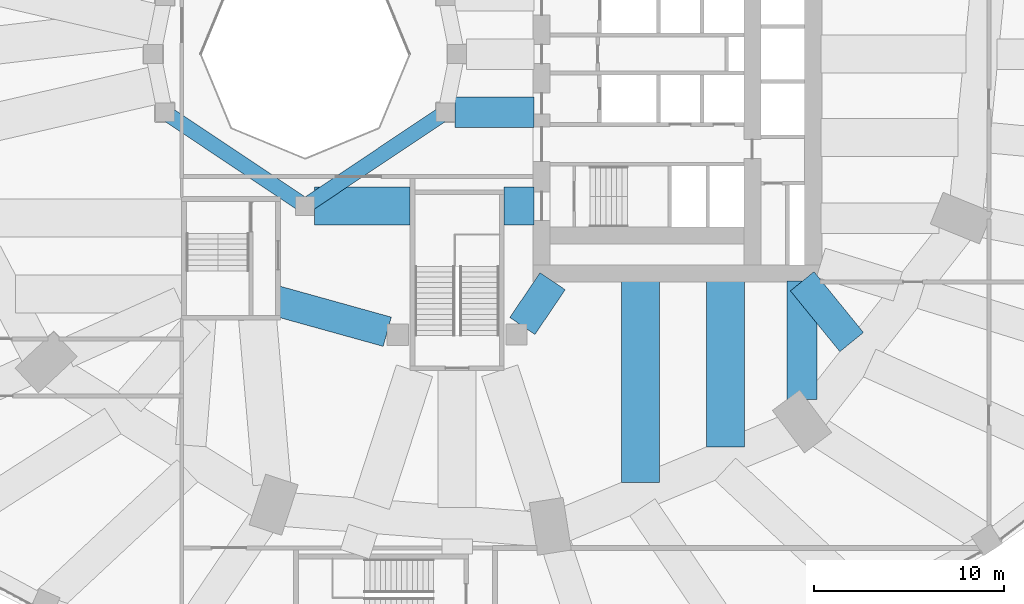
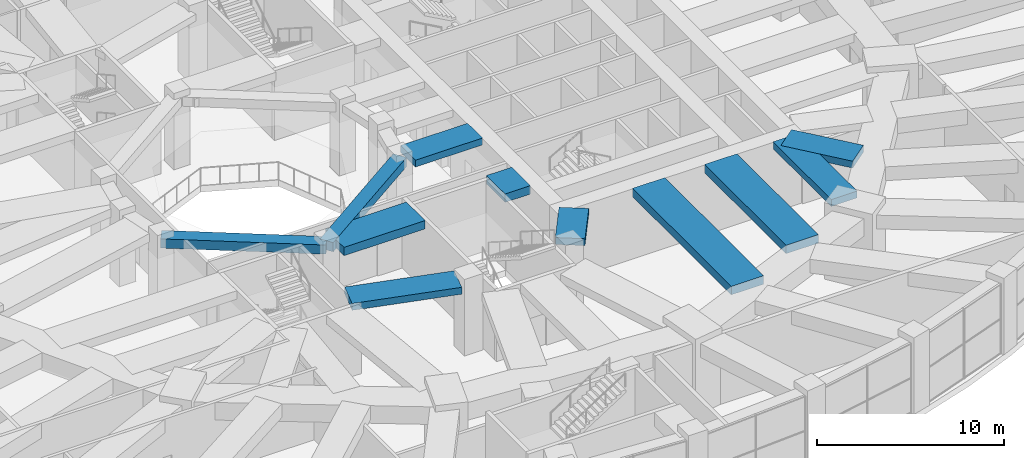
# One storey, part 7 of 32: 11 beams.
"""IFC4 building model written with IfcOpenShell, lengths in metres."""

import ifcopenshell
import ifcopenshell.guid

model = None  # the IFC model being written
_history = None  # IfcOwnerHistory: only IFC2X3 demands one
_inside = {}  # id of a spatial element -> (the spatial element, [elements in it])
_under = {}  # id of a project, library or spatial element -> (it, [spatial elements below it])
_declared = {}  # id of a project -> (the project, [libraries it declares])
_typed = {}  # id of a type object -> (the type object, [elements of that type])
_made_of = {}  # id of a material, layer set ... -> (it, [elements and type objects made of it])


def new_model(schema):
    """Start an empty IFC model of exactly this schema.

    Asked for "IFC4X3", IfcOpenShell would pick the latest addendum, in which some entities
    have other attributes; the version numbers below select the first issue.
    IFC2X3 requires an IfcOwnerHistory on every rooted entity: one is made here for all.
    """
    global model, _history
    if schema == "IFC4X3":
        model = ifcopenshell.file(schema_version=(4, 3, 0, 0))
    else:
        model = ifcopenshell.file(schema=schema)
    _inside.clear()
    _under.clear()
    _declared.clear()
    _typed.clear()
    _made_of.clear()
    _history = None
    if model.schema == "IFC2X3":
        org = make("IfcOrganization", Name="unknown")
        user = make(
            "IfcPersonAndOrganization",
            ThePerson=make("IfcPerson", FamilyName="unknown"),
            TheOrganization=org,
        )
        app = make(
            "IfcApplication",
            ApplicationDeveloper=org,
            Version="unknown",
            ApplicationFullName="unknown",
            ApplicationIdentifier="unknown",
        )
        _history = make(
            "IfcOwnerHistory",
            OwningUser=user,
            OwningApplication=app,
            ChangeAction="ADDED",
            CreationDate=0,
        )
    return model


def make(cls, **values):
    """One entity of the class cls with the attributes given. An attribute that is None is left unset."""
    return model.create_entity(
        cls, **{name: value for name, value in values.items() if value is not None}
    )


def rooted(cls, **values):
    """An entity with a GlobalId (a new one), such as an element, a storey or a relation."""
    return make(cls, GlobalId=ifcopenshell.guid.new(), OwnerHistory=_history, **values)


def si_unit(unit_type, name, prefix=None):
    """IfcSIUnit, for example si_unit("LENGTHUNIT", "METRE", prefix="MILLI")."""
    return make("IfcSIUnit", UnitType=unit_type, Prefix=prefix, Name=name)


def assignment(units):
    """IfcUnitAssignment: the units of a project."""
    return None if units is None else make("IfcUnitAssignment", Units=units)


def point(xyz):
    """IfcCartesianPoint."""
    return None if xyz is None else make("IfcCartesianPoint", Coordinates=xyz)


def direction(xyz):
    """IfcDirection."""
    return None if xyz is None else make("IfcDirection", DirectionRatios=xyz)


def frame(location, z_axis=None, x_axis=None):
    """IfcAxis2Placement3D, a coordinate frame: its origin and axes. An axis left out is left unset."""
    return make(
        "IfcAxis2Placement3D",
        Location=point(location),
        Axis=direction(z_axis),
        RefDirection=direction(x_axis),
    )


def frame_2d(location, x_axis=None):
    """IfcAxis2Placement2D, a coordinate frame in the plane: its origin and x axis."""
    return make(
        "IfcAxis2Placement2D", Location=point(location), RefDirection=direction(x_axis)
    )


def origin():
    """The frame at (0, 0, 0) with its axes left unset."""
    return frame((0.0, 0.0, 0.0))


def origin_2d():
    """The frame at (0, 0) in the plane with its x axis left unset."""
    return frame_2d((0.0, 0.0))


def place(relative_to, where):
    """IfcLocalPlacement: puts the frame where relative to a parent placement (None: the world)."""
    return make(
        "IfcLocalPlacement", PlacementRelTo=relative_to, RelativePlacement=where
    )


def context(
    kind, dimensions, precision=None, world=None, true_north=None, identifier=None
):
    """IfcGeometricRepresentationContext, for example the 3D "Model" context."""
    return make(
        "IfcGeometricRepresentationContext",
        ContextIdentifier=identifier,
        ContextType=kind,
        CoordinateSpaceDimension=dimensions,
        Precision=precision,
        WorldCoordinateSystem=world,
        TrueNorth=true_north,
    )


def subcontext(parent, identifier, kind, view, scale=None):
    """IfcGeometricRepresentationSubContext, for example "Body" below "Model"."""
    return make(
        "IfcGeometricRepresentationSubContext",
        ContextIdentifier=identifier,
        ContextType=kind,
        ParentContext=parent,
        TargetScale=scale,
        TargetView=view,
    )


def project(units=None, contexts=None):
    """IfcProject with its units and contexts."""
    return rooted(
        "IfcProject",
        Name="project",
        RepresentationContexts=contexts,
        UnitsInContext=assignment(units),
    )


def spatial(cls, under=None, at=None, **own):
    """A site, building, storey or space (cls), placed at a placement, below another one or the project."""
    s = rooted(cls, ObjectPlacement=at, **own)
    if under is not None:
        _under.setdefault(under.id(), (under, []))[1].append(s)
    return s


def profile(cls, at=None, kind="AREA", **sizes):
    """A parametric profile (cls). Its sizes go by their IFC names, for example OverallWidth=200.0."""
    return make(cls, ProfileType=kind, Position=at, **sizes)


def rectangle(**sizes):
    """IfcRectangleProfileDef."""
    return profile("IfcRectangleProfileDef", **sizes)


def extrude(swept, where, along, depth):
    """IfcExtrudedAreaSolid: the profile swept, set in the frame where, extruded along a direction by depth."""
    return make(
        "IfcExtrudedAreaSolid",
        SweptArea=swept,
        Position=where,
        ExtrudedDirection=direction(along),
        Depth=depth,
    )


def shape(context_of_items, identifier, shape_type, items):
    """IfcShapeRepresentation: the items that make up one representation, for example the "Body"."""
    return make(
        "IfcShapeRepresentation",
        ContextOfItems=context_of_items,
        RepresentationIdentifier=identifier,
        RepresentationType=shape_type,
        Items=items,
    )


def material(Name=None, Category=None):
    """IfcMaterial."""
    return make("IfcMaterial", Name=Name, Category=Category)


def material_profile(
    of_material, cross_section, Name=None, Category=None, Priority=None
):
    """IfcMaterialProfile: a cross section and its material."""
    return make(
        "IfcMaterialProfile",
        Name=Name,
        Material=of_material,
        Profile=cross_section,
        Priority=Priority,
        Category=Category,
    )


def profile_set(profiles, Name=None, composite=None):
    """IfcMaterialProfileSet."""
    return make(
        "IfcMaterialProfileSet",
        Name=Name,
        MaterialProfiles=profiles,
        CompositeProfile=composite,
    )


def made_of(thing, what):
    """Note that an element or type object is made of a material, layer set ...; save() writes the relation."""
    if what is not None:
        _made_of.setdefault(what.id(), (what, []))[1].append(thing)
    return thing


def type_object(cls, material=None, **own):
    """A type object (cls), such as IfcWallType, which elements share."""
    return made_of(rooted(cls, **own), material)


def element(
    cls,
    number,
    at=None,
    inside=None,
    cuts=None,
    type_object=None,
    material=None,
    context=None,
    identifier="Body",
    shape_type=None,
    held_by="IfcProductDefinitionShape",
    body=None,
    shapes=None,
    **own,
):
    """One element of the class cls, such as IfcWall. Its Tag is "e" and its number.

    at: its placement. inside: the storey or other place that contains it. cuts: it is an
    opening in that element (IfcRelVoidsElement). A single representation is given by context,
    identifier, shape_type and body (its items); several are given by shapes. held_by: the class
    of the entity that holds the representations. save() writes the other relations.
    """
    e = rooted(cls, Tag="e%d" % number, ObjectPlacement=at, **own)
    if body is not None:
        shapes = [shape(context, identifier, shape_type, body)]
    if shapes is not None:
        e.Representation = make(held_by, Representations=shapes)
    if inside is not None:
        _inside.setdefault(inside.id(), (inside, []))[1].append(e)
    if cuts is not None:
        rooted(
            "IfcRelVoidsElement", RelatingBuildingElement=cuts, RelatedOpeningElement=e
        )
    if type_object is not None:
        _typed.setdefault(type_object.id(), (type_object, []))[1].append(e)
    return made_of(e, material)


def aggregate(whole, parts):
    """IfcRelAggregates: a whole, such as a stair, and the parts it consists of."""
    return rooted("IfcRelAggregates", RelatingObject=whole, RelatedObjects=parts)


def save(model, path):
    """Write the relations noted so far, then the file.

    IfcRelAggregates (storeys below a building ...), IfcRelContainedInSpatialStructure (elements
    in a storey), IfcRelDefinesByType, IfcRelAssociatesMaterial and IfcRelDeclares: one each for
    every whole, place, type object, material and project.
    """
    for whole, parts in _under.values():
        aggregate(whole, parts)
    for where, things in _inside.values():
        rooted(
            "IfcRelContainedInSpatialStructure",
            RelatedElements=things,
            RelatingStructure=where,
        )
    for kind, things in _typed.values():
        rooted("IfcRelDefinesByType", RelatedObjects=things, RelatingType=kind)
    for what, things in _made_of.values():
        rooted("IfcRelAssociatesMaterial", RelatedObjects=things, RelatingMaterial=what)
    for by, libraries in _declared.values():
        rooted("IfcRelDeclares", RelatingContext=by, RelatedDefinitions=libraries)
    model.write(path)


model = new_model("IFC4")

# Units and contexts
model_context = context("Model", 3, precision=1e-05, world=origin(), true_north=direction((0.0, 1.0)))
body_context = subcontext(model_context, "Body", "Model", "MODEL_VIEW")
ifc_project = project(units=[si_unit("LENGTHUNIT", "METRE"), si_unit("AREAUNIT", "SQUARE_METRE"), si_unit("VOLUMEUNIT", "CUBIC_METRE"), si_unit("PLANEANGLEUNIT", "RADIAN"), si_unit("MASSUNIT", "GRAM", prefix="KILO")], contexts=[model_context])

# Site, building, storey
site_placement = place(None, origin())
site = spatial("IfcSite", under=ifc_project, at=site_placement, CompositionType="ELEMENT")
building_placement = place(site_placement, origin())
building = spatial("IfcBuilding", under=site, at=building_placement, Name="Taillehof Tower", CompositionType="ELEMENT")
storey_placement = place(building_placement, frame((0.0, 0.0, 7.5)))
storey = spatial("IfcBuildingStorey", under=building, at=storey_placement, Name="L01", CompositionType="ELEMENT", Elevation=7.5)

# Beams
ifc_material_1 = material(Name="Concrete C50/60", Category="concrete")
ifc_material_profile_1 = material_profile(ifc_material_1, rectangle(XDim=0.800048828125, YDim=0.60009765625, at=origin_2d()), Name="RC 800x600")
ifc_profile_set_1 = profile_set([ifc_material_profile_1], Name="Concrete C50/60")
beam_type_1 = type_object("IfcBeamType", Name="Atrium ring beam C50/60 800x600", PredefinedType="BEAM", material=ifc_profile_set_1)
for number, where, z_axis, x_axis, name in (
    (1, (-15.39111328125, -3.0615234375, 4.2900390625), (0.831475195687, -0.555561876804, 0.0), (0.555561876804, 0.831475195687, 0.0), "Atrium ring beam AB06"),
    (2, (-8.0, -8.0, 4.2900390625), (0.831475195687, 0.555561876804, 0.0), (-0.555561876804, 0.831475195687, 0.0), "Atrium ring beam AB07"),
):
    element("IfcBeam", number, at=place(storey_placement, frame(where, z_axis=z_axis, x_axis=x_axis)), inside=storey, type_object=beam_type_1, Name=name, PredefinedType="BEAM", context=body_context, shape_type="SweptSolid", body=[
        extrude(rectangle(XDim=0.800048828125, YDim=0.60009765625, at=origin_2d()), origin(), (0.0, 0.0, 1.0), 8.88916015625),
    ])
ifc_material_2 = material(Name="Concrete C50/60", Category="concrete")
ifc_material_profile_2 = material_profile(ifc_material_2, rectangle(XDim=1.60009765625, YDim=0.449951171875, at=origin_2d()), Name="RC 1600x450")
ifc_profile_set_2 = profile_set([ifc_material_profile_2], Name="Concrete C50/60")
beam_type_2 = type_object("IfcBeamType", Name="Radial band beam C50/60 1600x450", PredefinedType="BEAM", material=ifc_profile_set_2)
beam_1_placement = place(storey_placement, frame((18.15869140625, -18.1953125, 4.364990234375), z_axis=(0.0, 1.0, 0.0), x_axis=(-1.0, 0.0, 0.0)))
element("IfcBeam", 3, at=beam_1_placement, inside=storey, type_object=beam_type_2, Name="Radial band beam RB32", PredefinedType="BEAM", context=body_context, shape_type="SweptSolid", body=[
    extrude(rectangle(XDim=1.60009765625, YDim=0.449951171875, at=origin_2d()), origin(), (0.0, 0.0, 1.0), 6.245361328125),
])
beam_2_placement = place(storey_placement, frame((20.771484375, -15.16162109375, 4.364990234375), z_axis=(-0.63098244055, 0.775797112471, 0.0), x_axis=(-0.775797112471, -0.63098244055, 0.0)))
element("IfcBeam", 4, at=beam_2_placement, inside=storey, type_object=beam_type_2, Name="Radial band beam RB33", PredefinedType="BEAM", context=body_context, shape_type="SweptSolid", body=[
    extrude(rectangle(XDim=1.60009765625, YDim=0.449951171875, at=origin_2d()), origin(), (0.0, 0.0, 1.0), 4.125244140625),
])
beam_3_placement = place(storey_placement, frame((-0.10888671875, -3.0615234375, 4.364990234375), z_axis=(1.0, 0.0, 0.0), x_axis=(0.0, 1.0, 0.0)))
element("IfcBeam", 5, at=beam_3_placement, inside=storey, type_object=beam_type_2, Name="Inner band beam IB116", PredefinedType="BEAM", context=body_context, shape_type="SweptSolid", body=[
    extrude(rectangle(XDim=1.60009765625, YDim=0.449951171875, at=origin_2d()), origin(), (0.0, 0.0, 1.0), 4.158935546875),
])
beam_4_placement = place(storey_placement, frame((-3.6796875, -14.6181640625, 4.364990234375), z_axis=(-0.963453939049, 0.267874051248, 0.0), x_axis=(-0.267874051248, -0.963453939049, 0.0)))
element("IfcBeam", 6, at=beam_4_placement, inside=storey, type_object=beam_type_2, Name="Inner band beam IB214", PredefinedType="BEAM", context=body_context, shape_type="SweptSolid", body=[
    extrude(rectangle(XDim=1.60009765625, YDim=0.449951171875, at=origin_2d()), origin(), (0.0, 0.0, 1.0), 6.07177734375),
])
beam_5_placement = place(storey_placement, frame((3.433837890625, -14.31640625, 4.364990234375), z_axis=(0.560112043398, 0.828416862962, 0.0), x_axis=(-0.828416862962, 0.560112043398, 0.0)))
element("IfcBeam", 7, at=beam_5_placement, inside=storey, type_object=beam_type_2, Name="Inner band beam IB215", PredefinedType="BEAM", context=body_context, shape_type="SweptSolid", body=[
    extrude(rectangle(XDim=1.60009765625, YDim=0.449951171875, at=origin_2d()), origin(), (0.0, 0.0, 1.0), 2.84619140625),
])
ifc_material_3 = material(Name="Concrete C50/60", Category="concrete")
ifc_material_profile_3 = material_profile(ifc_material_3, rectangle(XDim=2.0, YDim=0.550048828125, at=origin_2d()), Name="RC 2000x550")
ifc_profile_set_3 = profile_set([ifc_material_profile_3], Name="Concrete C50/60")
beam_type_3 = type_object("IfcBeamType", Name="Radial band beam C50/60 2000x550", PredefinedType="BEAM", material=ifc_profile_set_3)
beam_6_placement = place(storey_placement, frame((9.662109375, -22.5458984375, 4.31494140625), z_axis=(0.0, 1.0, 0.0), x_axis=(-1.0, 0.0, 0.0)))
element("IfcBeam", 8, at=beam_6_placement, inside=storey, type_object=beam_type_3, Name="Radial band beam RB30", PredefinedType="BEAM", context=body_context, shape_type="SweptSolid", body=[
    extrude(rectangle(XDim=2.0, YDim=0.550048828125, at=origin_2d()), origin(), (0.0, 0.0, 1.0), 10.595947265625),
])
beam_7_placement = place(storey_placement, frame((14.125, -20.685791015625, 4.31494140625), z_axis=(0.0, 1.0, 0.0), x_axis=(-1.0, 0.0, 0.0)))
element("IfcBeam", 9, at=beam_7_placement, inside=storey, type_object=beam_type_3, Name="Radial band beam RB31", PredefinedType="BEAM", context=body_context, shape_type="SweptSolid", body=[
    extrude(rectangle(XDim=2.0, YDim=0.550048828125, at=origin_2d()), origin(), (0.0, 0.0, 1.0), 8.73583984375),
])
beam_8_placement = place(storey_placement, frame((-7.5, -8.0, 4.31494140625), z_axis=(1.0, 0.0, 0.0), x_axis=(0.0, 1.0, 0.0)))
element("IfcBeam", 10, at=beam_8_placement, inside=storey, type_object=beam_type_3, Name="Inner band beam IB113", PredefinedType="BEAM", context=body_context, shape_type="SweptSolid", body=[
    extrude(rectangle(XDim=2.0, YDim=0.550048828125, at=origin_2d()), origin(), (0.0, 0.0, 1.0), 5.02490234375),
])
beam_9_placement = place(storey_placement, frame((2.47509765625, -8.0, 4.31494140625), z_axis=(1.0, 0.0, 0.0), x_axis=(0.0, 1.0, 0.0)))
element("IfcBeam", 11, at=beam_9_placement, inside=storey, type_object=beam_type_3, Name="Inner band beam IB113", PredefinedType="BEAM", context=body_context, shape_type="SweptSolid", body=[
    extrude(rectangle(XDim=2.0, YDim=0.550048828125, at=origin_2d()), origin(), (0.0, 0.0, 1.0), 1.574951171875),
])

save(model, "model.ifc")
